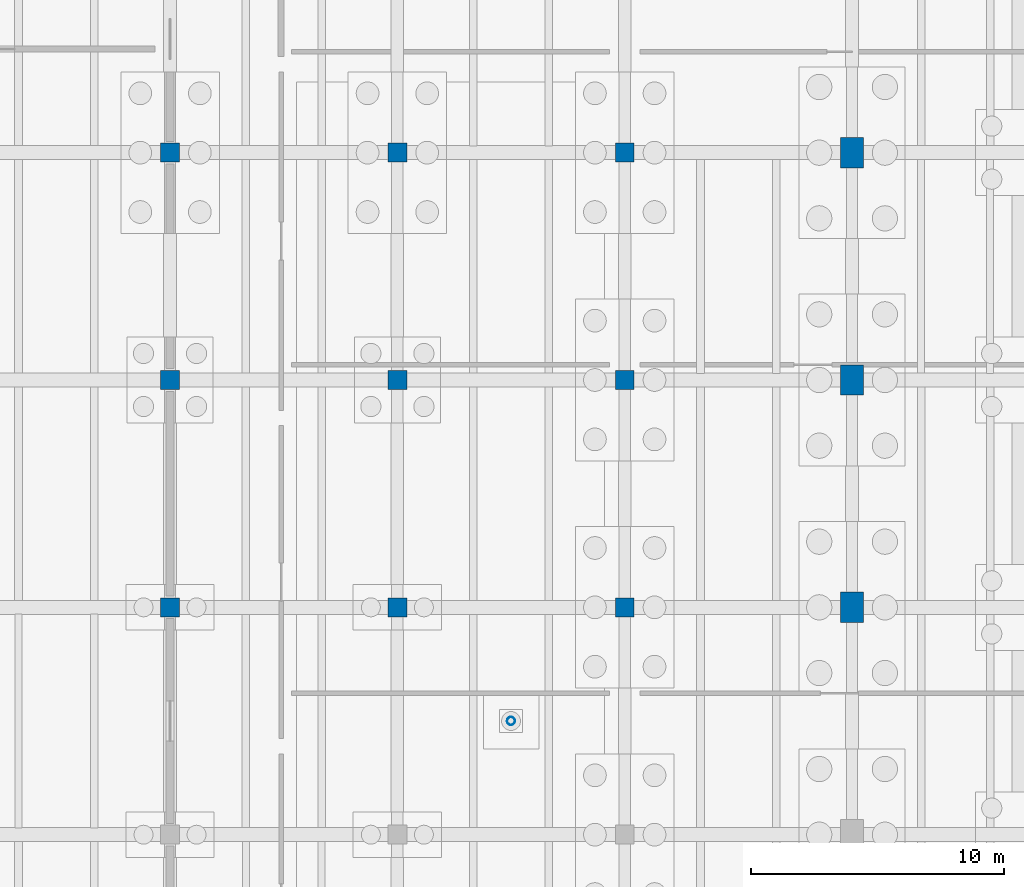
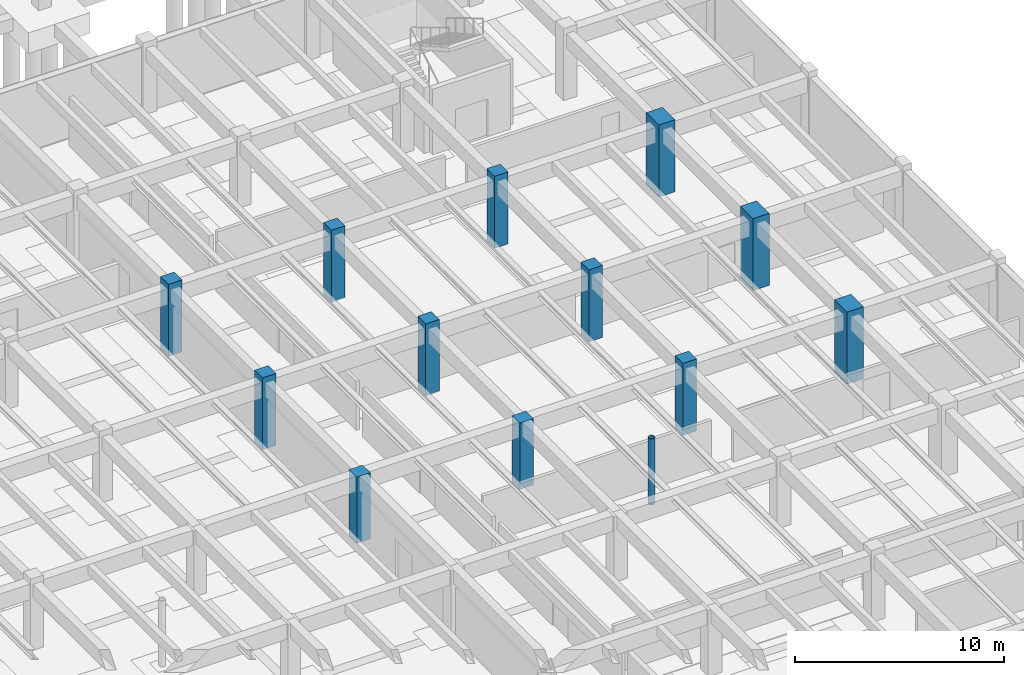
# One storey, part 10 of 23: 13 columns.
"""IFC4 building model written with IfcOpenShell, lengths in metres."""

from ifc_helpers import new_model, si_unit, direction, frame, origin, origin_2d, place, context, subcontext, project, spatial, rectangle, hollow_circle, extrude, material, material_profile, profile_set, type_object, element, save


model = new_model("IFC4")

# Units and contexts
model_context = context("Model", 3, precision=1e-05, world=origin(), true_north=direction((0.0, 1.0)))
body_context = subcontext(model_context, "Body", "Model", "MODEL_VIEW")
ifc_project = project(units=[si_unit("LENGTHUNIT", "METRE"), si_unit("AREAUNIT", "SQUARE_METRE"), si_unit("VOLUMEUNIT", "CUBIC_METRE"), si_unit("PLANEANGLEUNIT", "RADIAN"), si_unit("MASSUNIT", "GRAM", prefix="KILO")], contexts=[model_context])

# Site, building, storey
site_placement = place(None, origin())
site = spatial("IfcSite", under=ifc_project, at=site_placement, CompositionType="ELEMENT")
building_placement = place(site_placement, origin())
building = spatial("IfcBuilding", under=site, at=building_placement, Name="Ornek Quay Market", CompositionType="ELEMENT")
storey_placement = place(building_placement, frame((0.0, 0.0, -4.199951171875)))
storey = spatial("IfcBuildingStorey", under=building, at=storey_placement, Name="B1", CompositionType="ELEMENT", Elevation=-4.199951171875)

# Columns
ifc_material_1 = material(Name="Concrete C45/55", Category="concrete")
ifc_material_profile_1 = material_profile(ifc_material_1, rectangle(XDim=0.89990234375, YDim=1.199951171875, at=origin_2d()), Name="RC 900x1200", Category="concrete")
ifc_profile_set_1 = profile_set([ifc_material_profile_1], Name="Concrete C45/55")
column_type_1 = type_object("IfcColumnType", Name="COL-ARCH-900x1200", PredefinedType="COLUMN", material=ifc_profile_set_1)
for number, where, z_axis, x_axis, name in (
    (1, (117.0, 74.0, 0.0), (0.0, 0.0, 1.0), (1.0, 0.0, 0.0), "Column C-AR1-023"),
    (2, (117.0, 83.0, 0.0), (0.0, 0.0, 1.0), (1.0, 0.0, 0.0), "Column C-AR1-024"),
    (3, (117.0, 92.0, 0.0), (0.0, 0.0, 1.0), (1.0, 0.0, 0.0), "Column C-AR1-025"),
):
    element("IfcColumn", number, at=place(storey_placement, frame(where, z_axis=z_axis, x_axis=x_axis)), inside=storey, type_object=column_type_1, Name=name, PredefinedType="COLUMN", context=body_context, shape_type="SweptSolid", body=[
        extrude(rectangle(XDim=0.89990234375, YDim=1.199951171875, at=origin_2d()), origin(), (0.0, 0.0, 1.0), 4.199951171875),
    ])
ifc_material_2 = material(Name="Concrete C40/50", Category="concrete")
ifc_material_profile_2 = material_profile(ifc_material_2, rectangle(XDim=0.75, YDim=0.75, at=origin_2d()), Name="RC 750x750", Category="concrete")
ifc_profile_set_2 = profile_set([ifc_material_profile_2], Name="Concrete C40/50")
column_type_2 = type_object("IfcColumnType", Name="COL-B1-750x750", PredefinedType="COLUMN", material=ifc_profile_set_2)
column_1_placement = place(storey_placement, frame((90.0, 74.0, 0.0), z_axis=(0.0, 0.0, 1.0), x_axis=(1.0, 0.0, 0.0)))
element("IfcColumn", 4, at=column_1_placement, inside=storey, type_object=column_type_2, Name="Column C-B1A-008", PredefinedType="COLUMN", context=body_context, shape_type="SweptSolid", body=[
    extrude(rectangle(XDim=0.75, YDim=0.75, at=origin_2d()), origin(), (0.0, 0.0, 1.0), 3.85986328125),
])
for number, where, z_axis, x_axis, name in (
    (5, (90.0, 83.0, 0.0), (0.0, 0.0, 1.0), (1.0, 0.0, 0.0), "Column C-B1A-009"),
    (6, (90.0, 92.0, 0.0), (0.0, 0.0, 1.0), (1.0, 0.0, 0.0), "Column C-B1A-010"),
):
    element("IfcColumn", number, at=place(storey_placement, frame(where, z_axis=z_axis, x_axis=x_axis)), inside=storey, type_object=column_type_2, Name=name, PredefinedType="COLUMN", context=body_context, shape_type="SweptSolid", body=[
        extrude(rectangle(XDim=0.75, YDim=0.75, at=origin_2d()), origin(), (0.0, 0.0, 1.0), 4.199951171875),
    ])
column_2_placement = place(storey_placement, frame((99.0, 74.0, 0.0), z_axis=(0.0, 0.0, 1.0), x_axis=(1.0, 0.0, 0.0)))
element("IfcColumn", 7, at=column_2_placement, inside=storey, type_object=column_type_2, Name="Column C-B1A-020", PredefinedType="COLUMN", context=body_context, shape_type="SweptSolid", body=[
    extrude(rectangle(XDim=0.75, YDim=0.75, at=origin_2d()), origin(), (0.0, 0.0, 1.0), 3.85986328125),
])
for number, where, z_axis, x_axis, name in (
    (8, (99.0, 83.0, 0.0), (0.0, 0.0, 1.0), (1.0, 0.0, 0.0), "Column C-B1A-021"),
    (9, (99.0, 92.0, 0.0), (0.0, 0.0, 1.0), (1.0, 0.0, 0.0), "Column C-B1A-022"),
    (10, (108.0, 74.0, 0.0), (0.0, 0.0, 1.0), (1.0, 0.0, 0.0), "Column C-B1A-032"),
    (11, (108.0, 83.0, 0.0), (0.0, 0.0, 1.0), (1.0, 0.0, 0.0), "Column C-B1A-033"),
    (12, (108.0, 92.0, 0.0), (0.0, 0.0, 1.0), (1.0, 0.0, 0.0), "Column C-B1A-034"),
):
    element("IfcColumn", number, at=place(storey_placement, frame(where, z_axis=z_axis, x_axis=x_axis)), inside=storey, type_object=column_type_2, Name=name, PredefinedType="COLUMN", context=body_context, shape_type="SweptSolid", body=[
        extrude(rectangle(XDim=0.75, YDim=0.75, at=origin_2d()), origin(), (0.0, 0.0, 1.0), 4.199951171875),
    ])
ifc_material_3 = material(Name="Steel S355", Category="steel")
ifc_material_profile_3 = material_profile(ifc_material_3, hollow_circle(Radius=0.161865234375, WallThickness=0.012451171875, at=origin_2d()), Name="CHS 323.9x12.5", Category="steel")
ifc_profile_set_3 = profile_set([ifc_material_profile_3], Name="Steel S355")
column_type_3 = type_object("IfcColumnType", Name="COL-PORCH-CHS323", PredefinedType="PILASTER", material=ifc_profile_set_3)
column_3_placement = place(storey_placement, frame((103.5, 69.5, 0.0), z_axis=(0.0, 0.0, 1.0), x_axis=(1.0, 0.0, 0.0)))
element("IfcColumn", 13, at=column_3_placement, inside=storey, type_object=column_type_3, Name="Pavilion column CK-04", PredefinedType="PILASTER", context=body_context, shape_type="SweptSolid", body=[
    extrude(hollow_circle(Radius=0.161865234375, WallThickness=0.012451171875, at=origin_2d()), origin(), (0.0, 0.0, 1.0), 3.85986328125),
])

save(model, "model.ifc")
